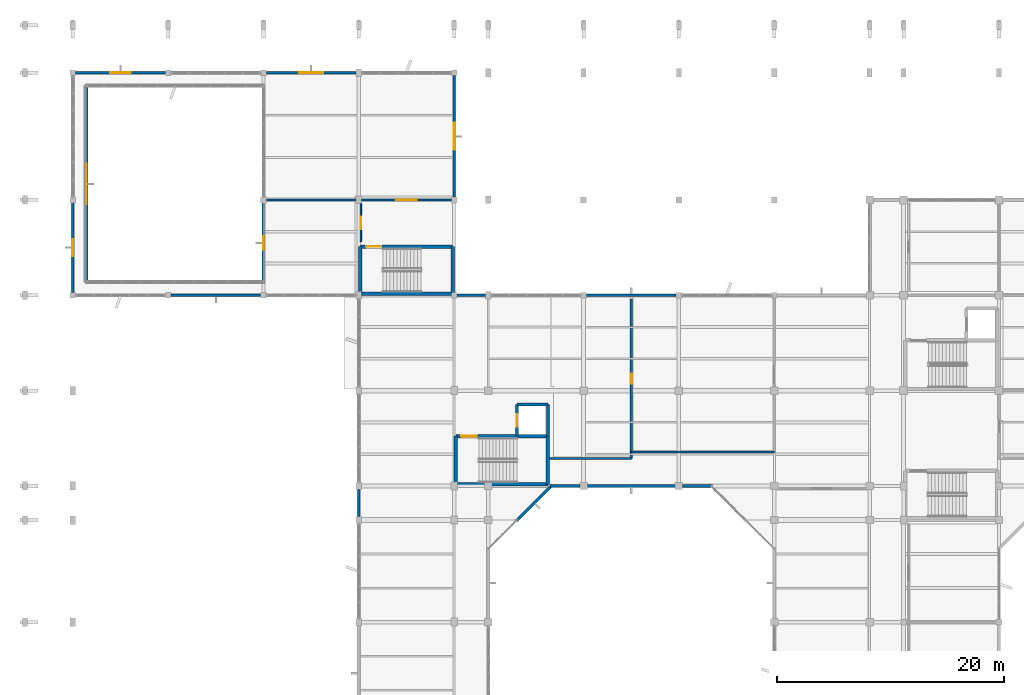
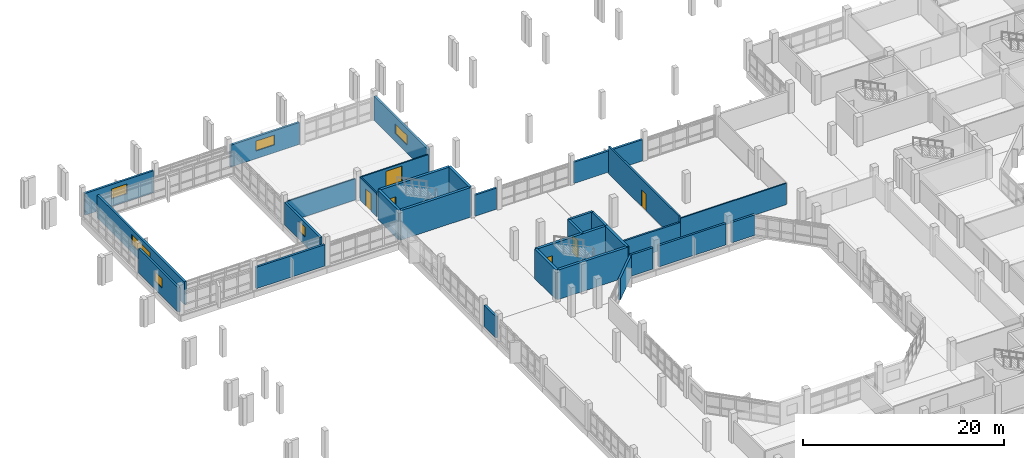
# One storey, part 69 of 104: 31 walls, 6 doors, 6 windows, 12 openings.
"""IFC4 building model written with IfcOpenShell, lengths in metres."""

from ifc_helpers import new_model, si_unit, direction, frame, frame_2d, origin, place, context, subcontext, project, spatial, rectangle, extrude, material, layer, layer_set, type_object, element, fill, save


model = new_model("IFC4")

# Units and contexts
model_context = context("Model", 3, precision=1e-05, world=origin(), true_north=direction((0.0, 1.0)))
body_context = subcontext(model_context, "Body", "Model", "MODEL_VIEW")
ifc_project = project(units=[si_unit("LENGTHUNIT", "METRE"), si_unit("AREAUNIT", "SQUARE_METRE"), si_unit("VOLUMEUNIT", "CUBIC_METRE"), si_unit("PLANEANGLEUNIT", "RADIAN"), si_unit("MASSUNIT", "GRAM", prefix="KILO")], contexts=[model_context])

# Site, building, storey
site_placement = place(None, origin())
site = spatial("IfcSite", under=ifc_project, at=site_placement, CompositionType="ELEMENT")
building_placement = place(site_placement, origin())
building = spatial("IfcBuilding", under=site, at=building_placement, Name="Vanh Quang Courtyard School", CompositionType="ELEMENT")
storey_placement = place(building_placement, frame((0.0, 0.0, 4.199951171875)))
storey = spatial("IfcBuildingStorey", under=building, at=storey_placement, Name="L01", CompositionType="ELEMENT", Elevation=4.199951171875)

# Wall, opening, door
ifc_material_1 = material(Name="Concrete C30/37", Category="concrete")
ifc_layer_1 = layer(ifc_material_1, 0.199951171875)
ifc_layer_set_1 = layer_set([ifc_layer_1], Name="Concrete C30/37")
wall_type_1 = type_object("IfcWallType", Name="W-COMP-200", PredefinedType="PARTITIONING", material=ifc_layer_set_1)
wall_1_placement = place(storey_placement, frame((53.39990234375, 87.8798828125, 0.0), z_axis=(0.0, 0.0, 1.0), x_axis=(0.0, -1.0, 0.0)))
wall_1 = element("IfcWall", 1, at=wall_1_placement, inside=storey, type_object=wall_type_1, Name="Wall W-COMP1 (L01)", PredefinedType="PARTITIONING", context=body_context, shape_type="SweptSolid", body=[
    extrude(rectangle(XDim=14.059814453125, YDim=0.199951171875, at=frame_2d((7.02978515625, 0.0))), origin(), (0.0, 0.0, 1.0), 3.320068359375),
])
opening_1_placement = place(wall_1_placement, frame((6.580078125, 0.0, 0.0)))
opening_1 = element("IfcOpeningElement", 2, at=opening_1_placement, cuts=wall_1, Name="Opening L01-D060", PredefinedType="OPENING", context=body_context, shape_type="SweptSolid", body=[
    extrude(rectangle(XDim=0.89990234375, YDim=2.050048828125, at=frame_2d((0.449951171875, 1.02490234375))), frame((0.0, 0.10986328125, 0.0), z_axis=(0.0, -1.0, 0.0), x_axis=(1.0, 0.0, 0.0)), (0.0, 0.0, 1.0), 0.219970703125),
])
ifc_material_2 = material(Name="Painted galvanised steel fire door", Category="steel")
door_type_1 = type_object("IfcDoorType", Name="IDR-RS-0900x2050", OperationType="NOTDEFINED", PredefinedType="DOOR", material=ifc_material_2)
door_1_placement = place(opening_1_placement, origin())
door_1 = element("IfcDoor", 3, at=door_1_placement, inside=storey, type_object=door_type_1, Name="Door L01-D060 (L01)", OperationType="SINGLE_SWING_LEFT", OverallHeight=2.050048828125, OverallWidth=0.89990234375, PredefinedType="DOOR", context=body_context, shape_type="SweptSolid", body=[
    extrude(rectangle(XDim=0.89990234375, YDim=2.050048828125, at=frame_2d((0.449951171875, 1.02490234375))), frame((0.0, 0.02490234375, 0.0), z_axis=(0.0, -1.0, 0.0), x_axis=(1.0, 0.0, 0.0)), (0.0, 0.0, 1.0), 0.050048828125),
])
fill(opening_1, door_1)

# Walls
wall_2_placement = place(storey_placement, frame((53.39990234375, 73.820068359375, 0.0), z_axis=(0.0, 0.0, 1.0), x_axis=(-1.0, 0.0, 0.0)))
element("IfcWall", 4, at=wall_2_placement, inside=storey, type_object=wall_type_1, Name="Wall W-COMP1 (L01)", PredefinedType="PARTITIONING", context=body_context, shape_type="SweptSolid", body=[
    extrude(rectangle(XDim=7.199951171875, YDim=0.199951171875, at=frame_2d((3.60009765625, 0.0))), origin(), (0.0, 0.0, 1.0), 2.60009765625),
])
ifc_material_3 = material(Name="Concrete C35/45", Category="concrete")
ifc_layer_2 = layer(ifc_material_3, 0.300048828125)
ifc_layer_set_2 = layer_set([ifc_layer_2], Name="Concrete C35/45")
wall_type_2 = type_object("IfcWallType", Name="W-CORE-300", PredefinedType="SHEAR", material=ifc_layer_set_2)
wall_3_placement = place(storey_placement, frame((37.93994140625, 71.5400390625, 0.0), z_axis=(0.0, 0.0, 1.0), x_axis=(1.0, 0.0, 0.0)))
element("IfcWall", 5, at=wall_3_placement, inside=storey, type_object=wall_type_2, Name="Wall W-CORE1 (L01)", PredefinedType="SHEAR", context=body_context, shape_type="SweptSolid", body=[
    extrude(rectangle(XDim=8.1201171875, YDim=0.300048828125, at=frame_2d((4.06005859375, 0.0))), origin(), (0.0, 0.0, 1.0), 3.60009765625),
])
wall_4_placement = place(storey_placement, frame((46.06005859375, 71.5400390625, 0.0), z_axis=(0.0, 0.0, 1.0), x_axis=(0.0, 1.0, 0.0)))
element("IfcWall", 6, at=wall_4_placement, inside=storey, type_object=wall_type_2, Name="Wall W-CORE1 (L01)", PredefinedType="SHEAR", context=body_context, shape_type="SweptSolid", body=[
    extrude(rectangle(XDim=4.239990234375, YDim=0.300048828125, at=frame_2d((2.1201171875, 0.0))), origin(), (0.0, 0.0, 1.0), 3.60009765625),
])

# Wall, opening, door
wall_5_placement = place(storey_placement, frame((46.06005859375, 75.780029296875, 0.0), z_axis=(0.0, 0.0, 1.0), x_axis=(-1.0, 0.0, 0.0)))
wall_5 = element("IfcWall", 7, at=wall_5_placement, inside=storey, type_object=wall_type_2, Name="Wall W-CORE1 (L01)", PredefinedType="SHEAR", context=body_context, shape_type="SweptSolid", body=[
    extrude(rectangle(XDim=8.1201171875, YDim=0.300048828125, at=frame_2d((4.06005859375, 0.0))), origin(), (0.0, 0.0, 1.0), 3.60009765625),
])
opening_2_placement = place(wall_5_placement, frame((6.27001953125, 0.0, 0.0)))
opening_2 = element("IfcOpeningElement", 8, at=opening_2_placement, cuts=wall_5, Name="Opening L01-DS3", PredefinedType="OPENING", context=body_context, shape_type="SweptSolid", body=[
    extrude(rectangle(XDim=1.35009765625, YDim=2.14990234375, at=frame_2d((0.675048828125, 1.074951171875))), frame((0.0, 0.16015625, 0.0), z_axis=(0.0, -1.0, 0.0), x_axis=(1.0, 0.0, 0.0)), (0.0, 0.0, 1.0), 0.320068359375),
])
door_type_2 = type_object("IfcDoorType", Name="IDR-ST-1350x2150", OperationType="NOTDEFINED", PredefinedType="DOOR", material=ifc_material_2)
door_2_placement = place(opening_2_placement, frame((1.35009765625, 0.0, 0.0), z_axis=(0.0, 0.0, 1.0), x_axis=(-1.0, 0.0, 0.0)))
door_2 = element("IfcDoor", 9, at=door_2_placement, inside=storey, type_object=door_type_2, Name="Door L01-DS3 (L01)", OperationType="SINGLE_SWING_LEFT", OverallHeight=2.14990234375, OverallWidth=1.35009765625, PredefinedType="DOOR", context=body_context, shape_type="SweptSolid", body=[
    extrude(rectangle(XDim=1.35009765625, YDim=2.14990234375, at=frame_2d((0.675048828125, 1.074951171875))), frame((0.0, 0.02490234375, 0.0), z_axis=(0.0, -1.0, 0.0), x_axis=(1.0, 0.0, 0.0)), (0.0, 0.0, 1.0), 0.050048828125),
])
fill(opening_2, door_2)

# Walls
wall_6_placement = place(storey_placement, frame((37.93994140625, 75.780029296875, 0.0), z_axis=(0.0, 0.0, 1.0), x_axis=(0.0, -1.0, 0.0)))
element("IfcWall", 10, at=wall_6_placement, inside=storey, type_object=wall_type_2, Name="Wall W-CORE1 (L01)", PredefinedType="SHEAR", context=body_context, shape_type="SweptSolid", body=[
    extrude(rectangle(XDim=4.239990234375, YDim=0.300048828125, at=frame_2d((2.1201171875, 0.0))), origin(), (0.0, 0.0, 1.0), 3.60009765625),
])
wall_7_placement = place(storey_placement, frame((29.5400390625, 88.340087890625, 0.0), z_axis=(0.0, 0.0, 1.0), x_axis=(1.0, 0.0, 0.0)))
element("IfcWall", 11, at=wall_7_placement, inside=storey, type_object=wall_type_2, Name="Wall W-CORE1 (L01)", PredefinedType="SHEAR", context=body_context, shape_type="SweptSolid", body=[
    extrude(rectangle(XDim=8.119873046875, YDim=0.300048828125, at=frame_2d((4.06005859375, 0.0))), origin(), (0.0, 0.0, 1.0), 3.60009765625),
])
wall_8_placement = place(storey_placement, frame((37.659912109375, 88.340087890625, 0.0), z_axis=(0.0, 0.0, 1.0), x_axis=(0.0, 1.0, 0.0)))
element("IfcWall", 12, at=wall_8_placement, inside=storey, type_object=wall_type_2, Name="Wall W-CORE1 (L01)", PredefinedType="SHEAR", context=body_context, shape_type="SweptSolid", body=[
    extrude(rectangle(XDim=4.139892578125, YDim=0.300048828125, at=frame_2d((2.06982421875, 0.0))), origin(), (0.0, 0.0, 1.0), 3.60009765625),
])

# Wall, opening, door
wall_9_placement = place(storey_placement, frame((37.659912109375, 92.47998046875, 0.0), z_axis=(0.0, 0.0, 1.0), x_axis=(-1.0, 0.0, 0.0)))
wall_9 = element("IfcWall", 13, at=wall_9_placement, inside=storey, type_object=wall_type_2, Name="Wall W-CORE1 (L01)", PredefinedType="SHEAR", context=body_context, shape_type="SweptSolid", body=[
    extrude(rectangle(XDim=8.119873046875, YDim=0.300048828125, at=frame_2d((4.06005859375, 0.0))), origin(), (0.0, 0.0, 1.0), 3.60009765625),
])
opening_3_placement = place(wall_9_placement, frame((6.27001953125, 0.0, 0.0)))
opening_3 = element("IfcOpeningElement", 14, at=opening_3_placement, cuts=wall_9, Name="Opening L01-DS7", PredefinedType="OPENING", context=body_context, shape_type="SweptSolid", body=[
    extrude(rectangle(XDim=1.35009765625, YDim=2.14990234375, at=frame_2d((0.675048828125, 1.074951171875))), frame((0.0, 0.16015625, 0.0), z_axis=(0.0, -1.0, 0.0), x_axis=(1.0, 0.0, 0.0)), (0.0, 0.0, 1.0), 0.320068359375),
])
door_3_placement = place(opening_3_placement, frame((1.35009765625, 0.0, 0.0), z_axis=(0.0, 0.0, 1.0), x_axis=(-1.0, 0.0, 0.0)))
door_3 = element("IfcDoor", 15, at=door_3_placement, inside=storey, type_object=door_type_2, Name="Door L01-DS7 (L01)", OperationType="SINGLE_SWING_LEFT", OverallHeight=2.14990234375, OverallWidth=1.35009765625, PredefinedType="DOOR", context=body_context, shape_type="SweptSolid", body=[
    extrude(rectangle(XDim=1.35009765625, YDim=2.14990234375, at=frame_2d((0.675048828125, 1.074951171875))), frame((0.0, 0.02490234375, 0.0), z_axis=(0.0, -1.0, 0.0), x_axis=(1.0, 0.0, 0.0)), (0.0, 0.0, 1.0), 0.050048828125),
])
fill(opening_3, door_3)

# Walls
wall_10_placement = place(storey_placement, frame((29.5400390625, 92.47998046875, 0.0), z_axis=(0.0, 0.0, 1.0), x_axis=(0.0, -1.0, 0.0)))
element("IfcWall", 16, at=wall_10_placement, inside=storey, type_object=wall_type_2, Name="Wall W-CORE1 (L01)", PredefinedType="SHEAR", context=body_context, shape_type="SweptSolid", body=[
    extrude(rectangle(XDim=4.139892578125, YDim=0.300048828125, at=frame_2d((2.06982421875, 0.0))), origin(), (0.0, 0.0, 1.0), 3.60009765625),
])
ifc_material_4 = material(Name="Precast concrete C40/50", Category="concrete")
ifc_layer_3 = layer(ifc_material_4, 0.239990234375)
ifc_layer_set_3 = layer_set([ifc_layer_3], Name="Precast concrete C40/50")
wall_type_3 = type_object("IfcWallType", Name="W-EXT-240", PredefinedType="SOLIDWALL", material=ifc_layer_set_3)
wall_11_placement = place(storey_placement, frame((29.39990234375, 68.722900390625, 0.0), z_axis=(0.0, 0.0, 1.0), x_axis=(0.0, 1.0, 0.0)))
element("IfcWall", 17, at=wall_11_placement, inside=storey, type_object=wall_type_3, Name="Wall WE-03 (L01)", PredefinedType="SOLIDWALL", context=body_context, shape_type="SweptSolid", body=[
    extrude(rectangle(XDim=2.35400390625, YDim=0.239990234375, at=frame_2d((1.177001953125, 0.0))), origin(), (0.0, 0.0, 1.0), 2.580078125),
])
wall_12_placement = place(storey_placement, frame((20.751953125, 88.199951171875, 0.0), z_axis=(0.0, 0.0, 1.0), x_axis=(-1.0, 0.0, 0.0)))
element("IfcWall", 18, at=wall_12_placement, inside=storey, type_object=wall_type_3, Name="Wall WE-03 (L01)", PredefinedType="SOLIDWALL", context=body_context, shape_type="SweptSolid", body=[
    extrude(rectangle(XDim=7.904052734375, YDim=0.239990234375, at=frame_2d((3.9521484375, 0.0))), origin(), (0.0, 0.0, 1.0), 2.6201171875),
])

# Wall, opening, window
wall_13_placement = place(storey_placement, frame((4.199951171875, 88.447998046875, 0.0), z_axis=(0.0, 0.0, 1.0), x_axis=(0.0, 1.0, 0.0)))
wall_13 = element("IfcWall", 19, at=wall_13_placement, inside=storey, type_object=wall_type_3, Name="Wall WE-03 (L01)", PredefinedType="SOLIDWALL", context=body_context, shape_type="SweptSolid", body=[
    extrude(rectangle(XDim=7.904052734375, YDim=0.239990234375, at=frame_2d((3.9521484375, 0.0))), origin(), (0.0, 0.0, 1.0), 2.9599609375),
])
opening_4_placement = place(wall_13_placement, frame((3.201904296875, 0.0, 0.949951171875)))
opening_4 = element("IfcOpeningElement", 20, at=opening_4_placement, cuts=wall_13, Name="Opening WN-02", PredefinedType="OPENING", context=body_context, shape_type="SweptSolid", body=[
    extrude(rectangle(XDim=1.5, YDim=1.199951171875, at=frame_2d((0.75, 0.60009765625))), frame((0.0, 0.1298828125, 0.0), z_axis=(0.0, -1.0, 0.0), x_axis=(1.0, 0.0, 0.0)), (0.0, 0.0, 1.0), 0.260009765625),
])
ifc_material_5 = material(Name="Anodised aluminium and low-E double glazing", Category="aluminium")
window_type_1 = type_object("IfcWindowType", Name="WIN-TYP-02", PartitioningType="SINGLE_PANEL", PredefinedType="WINDOW", material=ifc_material_5)
window_1_placement = place(opening_4_placement, origin())
window_1 = element("IfcWindow", 21, at=window_1_placement, inside=storey, type_object=window_type_1, Name="Window WN-02 (L01)", OverallHeight=1.199951171875, OverallWidth=1.5, PartitioningType="SINGLE_PANEL", PredefinedType="WINDOW", context=body_context, shape_type="SweptSolid", body=[
    extrude(rectangle(XDim=1.5, YDim=1.199951171875, at=frame_2d((0.75, 0.60009765625))), frame((0.0, 0.030029296875, 0.0), z_axis=(0.0, -1.0, 0.0), x_axis=(1.0, 0.0, 0.0)), (0.0, 0.0, 1.0), 0.06005859375),
])
fill(opening_4, window_1)

wall_14_placement = place(storey_placement, frame((4.447998046875, 107.800048828125, 0.0), z_axis=(0.0, 0.0, 1.0), x_axis=(1.0, 0.0, 0.0)))
wall_14 = element("IfcWall", 22, at=wall_14_placement, inside=storey, type_object=wall_type_3, Name="Wall WE-03 (L01)", PredefinedType="SOLIDWALL", context=body_context, shape_type="SweptSolid", body=[
    extrude(rectangle(XDim=7.904052734375, YDim=0.239990234375, at=frame_2d((3.9521484375, 0.0))), origin(), (0.0, 0.0, 1.0), 2.670166015625),
])
opening_5_placement = place(wall_14_placement, frame((3.052001953125, 0.0, 0.949951171875)))
opening_5 = element("IfcOpeningElement", 23, at=opening_5_placement, cuts=wall_14, Name="Opening WN-03", PredefinedType="OPENING", context=body_context, shape_type="SweptSolid", body=[
    extrude(rectangle(XDim=1.800048828125, YDim=1.199951171875, at=frame_2d((0.89990234375, 0.60009765625))), frame((0.0, 0.1298828125, 0.0), z_axis=(0.0, -1.0, 0.0), x_axis=(1.0, 0.0, 0.0)), (0.0, 0.0, 1.0), 0.260009765625),
])
window_type_2 = type_object("IfcWindowType", Name="WIN-TYP-03", PartitioningType="SINGLE_PANEL", PredefinedType="WINDOW", material=ifc_material_5)
window_2_placement = place(opening_5_placement, origin())
window_2 = element("IfcWindow", 24, at=window_2_placement, inside=storey, type_object=window_type_2, Name="Window WN-03 (L01)", OverallHeight=1.199951171875, OverallWidth=1.800048828125, PartitioningType="SINGLE_PANEL", PredefinedType="WINDOW", context=body_context, shape_type="SweptSolid", body=[
    extrude(rectangle(XDim=1.800048828125, YDim=1.199951171875, at=frame_2d((0.89990234375, 0.60009765625))), frame((0.0, 0.030029296875, 0.0), z_axis=(0.0, -1.0, 0.0), x_axis=(1.0, 0.0, 0.0)), (0.0, 0.0, 1.0), 0.06005859375),
])
fill(opening_5, window_2)

wall_15_placement = place(storey_placement, frame((21.248046875, 107.800048828125, 0.0), z_axis=(0.0, 0.0, 1.0), x_axis=(1.0, 0.0, 0.0)))
wall_15 = element("IfcWall", 25, at=wall_15_placement, inside=storey, type_object=wall_type_3, Name="Wall WE-03 (L01)", PredefinedType="SOLIDWALL", context=body_context, shape_type="SweptSolid", body=[
    extrude(rectangle(XDim=7.904052734375, YDim=0.239990234375, at=frame_2d((3.9521484375, 0.0))), origin(), (0.0, 0.0, 1.0), 2.670166015625),
])
opening_6_placement = place(wall_15_placement, frame((2.902099609375, 0.0, 0.949951171875)))
opening_6 = element("IfcOpeningElement", 26, at=opening_6_placement, cuts=wall_15, Name="Opening WN-04", PredefinedType="OPENING", context=body_context, shape_type="SweptSolid", body=[
    extrude(rectangle(XDim=2.10009765625, YDim=1.199951171875, at=frame_2d((1.050048828125, 0.60009765625))), frame((0.0, 0.1298828125, 0.0), z_axis=(0.0, -1.0, 0.0), x_axis=(1.0, 0.0, 0.0)), (0.0, 0.0, 1.0), 0.260009765625),
])
window_type_3 = type_object("IfcWindowType", Name="WIN-TYP-04", PartitioningType="SINGLE_PANEL", PredefinedType="WINDOW", material=ifc_material_5)
window_3_placement = place(opening_6_placement, origin())
window_3 = element("IfcWindow", 27, at=window_3_placement, inside=storey, type_object=window_type_3, Name="Window WN-04 (L01)", OverallHeight=1.199951171875, OverallWidth=2.10009765625, PartitioningType="SINGLE_PANEL", PredefinedType="WINDOW", context=body_context, shape_type="SweptSolid", body=[
    extrude(rectangle(XDim=2.10009765625, YDim=1.199951171875, at=frame_2d((1.050048828125, 0.60009765625))), frame((0.0, 0.030029296875, 0.0), z_axis=(0.0, -1.0, 0.0), x_axis=(1.0, 0.0, 0.0)), (0.0, 0.0, 1.0), 0.06005859375),
])
fill(opening_6, window_3)

wall_16_placement = place(storey_placement, frame((37.800048828125, 107.552001953125, 0.0), z_axis=(0.0, 0.0, 1.0), x_axis=(0.0, -1.0, 0.0)))
wall_16 = element("IfcWall", 28, at=wall_16_placement, inside=storey, type_object=wall_type_3, Name="Wall WE-03 (L01)", PredefinedType="SOLIDWALL", context=body_context, shape_type="SweptSolid", body=[
    extrude(rectangle(XDim=10.7041015625, YDim=0.239990234375, at=frame_2d((5.35205078125, 0.0))), origin(), (0.0, 0.0, 1.0), 2.9599609375),
])
opening_7_placement = place(wall_16_placement, frame((4.152099609375, 0.0, 0.949951171875)))
opening_7 = element("IfcOpeningElement", 29, at=opening_7_placement, cuts=wall_16, Name="Opening WN-05", PredefinedType="OPENING", context=body_context, shape_type="SweptSolid", body=[
    extrude(rectangle(XDim=2.39990234375, YDim=1.199951171875, at=frame_2d((1.199951171875, 0.60009765625))), frame((0.0, 0.1298828125, 0.0), z_axis=(0.0, -1.0, 0.0), x_axis=(1.0, 0.0, 0.0)), (0.0, 0.0, 1.0), 0.260009765625),
])
window_type_4 = type_object("IfcWindowType", Name="WIN-TYP-05", PartitioningType="SINGLE_PANEL", PredefinedType="WINDOW", material=ifc_material_5)
window_4_placement = place(opening_7_placement, origin())
window_4 = element("IfcWindow", 30, at=window_4_placement, inside=storey, type_object=window_type_4, Name="Window WN-05 (L01)", OverallHeight=1.199951171875, OverallWidth=2.39990234375, PartitioningType="SINGLE_PANEL", PredefinedType="WINDOW", context=body_context, shape_type="SweptSolid", body=[
    extrude(rectangle(XDim=2.39990234375, YDim=1.199951171875, at=frame_2d((1.199951171875, 0.60009765625))), frame((0.0, 0.030029296875, 0.0), z_axis=(0.0, -1.0, 0.0), x_axis=(1.0, 0.0, 0.0)), (0.0, 0.0, 1.0), 0.06005859375),
])
fill(opening_7, window_4)

# Walls
wall_17_placement = place(storey_placement, frame((38.048095703125, 88.199951171875, 0.0), z_axis=(0.0, 0.0, 1.0), x_axis=(1.0, 0.0, 0.0)))
element("IfcWall", 31, at=wall_17_placement, inside=storey, type_object=wall_type_3, Name="Wall WE-03 (L01)", PredefinedType="SOLIDWALL", context=body_context, shape_type="SweptSolid", body=[
    extrude(rectangle(XDim=2.50390625, YDim=0.239990234375, at=frame_2d((1.251953125, 0.0))), origin(), (0.0, 0.0, 1.0), 2.580078125),
])
wall_18_placement = place(storey_placement, frame((49.447998046875, 88.199951171875, 0.0), z_axis=(0.0, 0.0, 1.0), x_axis=(1.0, 0.0, 0.0)))
element("IfcWall", 32, at=wall_18_placement, inside=storey, type_object=wall_type_3, Name="Wall WE-03 (L01)", PredefinedType="SOLIDWALL", context=body_context, shape_type="SweptSolid", body=[
    extrude(rectangle(XDim=7.904052734375, YDim=0.239990234375, at=frame_2d((3.9521484375, 0.0))), origin(), (0.0, 0.0, 1.0), 2.60009765625),
])

# Wall, opening, window
wall_19_placement = place(storey_placement, frame((5.39990234375, 106.719970703125, 0.0), z_axis=(0.0, 0.0, 1.0), x_axis=(0.0, -1.0, 0.0)))
wall_19 = element("IfcWall", 33, at=wall_19_placement, inside=storey, type_object=wall_type_3, Name="Wall WE-03 (L01)", PredefinedType="SOLIDWALL", context=body_context, shape_type="SweptSolid", body=[
    extrude(rectangle(XDim=17.43994140625, YDim=0.239990234375, at=frame_2d((8.719970703125, 0.0))), origin(), (0.0, 0.0, 1.0), 2.77001953125),
])
opening_8_placement = place(wall_19_placement, frame((6.919921875, 0.0, 0.949951171875)))
opening_8 = element("IfcOpeningElement", 34, at=opening_8_placement, cuts=wall_19, Name="Opening WN-09", PredefinedType="OPENING", context=body_context, shape_type="SweptSolid", body=[
    extrude(rectangle(XDim=3.60009765625, YDim=1.199951171875, at=frame_2d((1.800048828125, 0.60009765625))), frame((0.0, 0.1298828125, 0.0), z_axis=(0.0, -1.0, 0.0), x_axis=(1.0, 0.0, 0.0)), (0.0, 0.0, 1.0), 0.260009765625),
])
window_type_5 = type_object("IfcWindowType", Name="WIN-TYP-09", PartitioningType="SINGLE_PANEL", PredefinedType="WINDOW", material=ifc_material_5)
window_5_placement = place(opening_8_placement, origin())
window_5 = element("IfcWindow", 35, at=window_5_placement, inside=storey, type_object=window_type_5, Name="Window WN-09 (L01)", OverallHeight=1.199951171875, OverallWidth=3.60009765625, PartitioningType="SINGLE_PANEL", PredefinedType="WINDOW", context=body_context, shape_type="SweptSolid", body=[
    extrude(rectangle(XDim=3.60009765625, YDim=1.199951171875, at=frame_2d((1.800048828125, 0.60009765625))), frame((0.0, 0.030029296875, 0.0), z_axis=(0.0, -1.0, 0.0), x_axis=(1.0, 0.0, 0.0)), (0.0, 0.0, 1.0), 0.06005859375),
])
fill(opening_8, window_5)

wall_20_placement = place(storey_placement, frame((21.0, 89.280029296875, 0.0), z_axis=(0.0, 0.0, 1.0), x_axis=(0.0, 1.0, 0.0)))
wall_20 = element("IfcWall", 36, at=wall_20_placement, inside=storey, type_object=wall_type_3, Name="Wall WE-03 (L01)", PredefinedType="SOLIDWALL", context=body_context, shape_type="SweptSolid", body=[
    extrude(rectangle(XDim=7.072021484375, YDim=0.239990234375, at=frame_2d((3.5361328125, 0.0))), origin(), (0.0, 0.0, 1.0), 2.719970703125),
])
opening_9_placement = place(wall_20_placement, frame((2.93603515625, 0.0, 0.949951171875)))
opening_9 = element("IfcOpeningElement", 37, at=opening_9_placement, cuts=wall_20, Name="Opening WN-01", PredefinedType="OPENING", context=body_context, shape_type="SweptSolid", body=[
    extrude(rectangle(XDim=1.199951171875, YDim=1.199951171875, at=frame_2d((0.60009765625, 0.60009765625))), frame((0.0, 0.1298828125, 0.0), z_axis=(0.0, -1.0, 0.0), x_axis=(1.0, 0.0, 0.0)), (0.0, 0.0, 1.0), 0.260009765625),
])
window_type_6 = type_object("IfcWindowType", Name="WIN-TYP-01", PartitioningType="SINGLE_PANEL", PredefinedType="WINDOW", material=ifc_material_5)
window_6_placement = place(opening_9_placement, origin())
window_6 = element("IfcWindow", 38, at=window_6_placement, inside=storey, type_object=window_type_6, Name="Window WN-01 (L01)", OverallHeight=1.199951171875, OverallWidth=1.199951171875, PartitioningType="SINGLE_PANEL", PredefinedType="WINDOW", context=body_context, shape_type="SweptSolid", body=[
    extrude(rectangle(XDim=1.199951171875, YDim=1.199951171875, at=frame_2d((0.60009765625, 0.60009765625))), frame((0.0, 0.030029296875, 0.0), z_axis=(0.0, -1.0, 0.0), x_axis=(1.0, 0.0, 0.0)), (0.0, 0.0, 1.0), 0.06005859375),
])
fill(opening_9, window_6)

# Walls
wall_21_placement = place(storey_placement, frame((60.575927734375, 71.39990234375, 0.0), z_axis=(0.0, 0.0, 1.0), x_axis=(-1.0, 0.0, 0.0)))
element("IfcWall", 39, at=wall_21_placement, inside=storey, type_object=wall_type_3, Name="Wall WE-03 (L01)", PredefinedType="SOLIDWALL", context=body_context, shape_type="SweptSolid", body=[
    extrude(rectangle(XDim=2.65283203125, YDim=0.239990234375, at=frame_2d((1.326416015625, 0.0))), origin(), (0.0, 0.0, 1.0), 2.5),
])
wall_22_placement = place(storey_placement, frame((57.277099609375, 71.39990234375, 0.0), z_axis=(0.0, 0.0, 1.0), x_axis=(-1.0, 0.0, 0.0)))
element("IfcWall", 40, at=wall_22_placement, inside=storey, type_object=wall_type_3, Name="Wall WE-03 (L01)", PredefinedType="SOLIDWALL", context=body_context, shape_type="SweptSolid", body=[
    extrude(rectangle(XDim=7.754150390625, YDim=0.239990234375, at=frame_2d((3.876953125, 0.0))), origin(), (0.0, 0.0, 1.0), 2.60009765625),
])
wall_23_placement = place(storey_placement, frame((48.876953125, 71.39990234375, 0.0), z_axis=(0.0, 0.0, 1.0), x_axis=(-1.0, 0.0, 0.0)))
element("IfcWall", 41, at=wall_23_placement, inside=storey, type_object=wall_type_3, Name="Wall WE-03 (L01)", PredefinedType="SOLIDWALL", context=body_context, shape_type="SweptSolid", body=[
    extrude(rectangle(XDim=2.65283203125, YDim=0.239990234375, at=frame_2d((1.326416015625, 0.0))), origin(), (0.0, 0.0, 1.0), 2.60009765625),
])
wall_24_placement = place(storey_placement, frame((46.428955078125, 71.48486328125, 0.0), z_axis=(0.0, 0.0, 1.0), x_axis=(-0.707134011639, -0.707079549685, 0.0)))
element("IfcWall", 42, at=wall_24_placement, inside=storey, type_object=wall_type_3, Name="Wall WE-03 (L01)", PredefinedType="SOLIDWALL", context=body_context, shape_type="SweptSolid", body=[
    extrude(rectangle(XDim=4.482666015625, YDim=0.239990234375, at=frame_2d((2.2412109375, 0.0))), origin(), (0.0, 0.0, 1.0), 2.60009765625),
])

# Wall, opening, door
ifc_material_6 = material(Name="Acoustic gypsum stud partition", Category="gypsum")
ifc_layer_4 = layer(ifc_material_6, 0.1201171875)
ifc_layer_set_4 = layer_set([ifc_layer_4], Name="Acoustic gypsum stud partition")
wall_type_4 = type_object("IfcWallType", Name="W-PART-120", PredefinedType="PARTITIONING", material=ifc_layer_set_4)
wall_25_placement = place(storey_placement, frame((29.580078125, 96.25390625, 0.0), z_axis=(0.0, 0.0, 1.0), x_axis=(0.0, -1.0, 0.0)))
wall_25 = element("IfcWall", 43, at=wall_25_placement, inside=storey, type_object=wall_type_4, Name="Wall W-PRT2 (L01)", PredefinedType="PARTITIONING", context=body_context, shape_type="SweptSolid", body=[
    extrude(rectangle(XDim=3.333984375, YDim=0.1201171875, at=frame_2d((1.6669921875, 0.0))), origin(), (0.0, 0.0, 1.0), 2.880126953125),
])
opening_10_placement = place(wall_25_placement, frame((1.116943359375, 0.0, 0.0)))
opening_10 = element("IfcOpeningElement", 44, at=opening_10_placement, cuts=wall_25, Name="Opening L01-D056", PredefinedType="OPENING", context=body_context, shape_type="SweptSolid", body=[
    extrude(rectangle(XDim=1.10009765625, YDim=2.10009765625, at=frame_2d((0.550048828125, 1.050048828125))), frame((0.0, 0.070068359375, 0.0), z_axis=(0.0, -1.0, 0.0), x_axis=(1.0, 0.0, 0.0)), (0.0, 0.0, 1.0), 0.14013671875),
])
ifc_material_7 = material(Name="Solid-core hardwood acoustic door", Category="wood")
door_type_3 = type_object("IfcDoorType", Name="IDR-CLS-1100x2100", OperationType="NOTDEFINED", PredefinedType="DOOR", material=ifc_material_7)
door_4_placement = place(opening_10_placement, origin())
door_4 = element("IfcDoor", 45, at=door_4_placement, inside=storey, type_object=door_type_3, Name="Door L01-D056 (L01)", OperationType="SINGLE_SWING_LEFT", OverallHeight=2.10009765625, OverallWidth=1.10009765625, PredefinedType="DOOR", context=body_context, shape_type="SweptSolid", body=[
    extrude(rectangle(XDim=1.10009765625, YDim=2.10009765625, at=frame_2d((0.550048828125, 1.050048828125))), frame((0.0, 0.02490234375, 0.0), z_axis=(0.0, -1.0, 0.0), x_axis=(1.0, 0.0, 0.0)), (0.0, 0.0, 1.0), 0.050048828125),
])
fill(opening_10, door_4)

# Wall
ifc_material_8 = material(Name="Autoclaved aerated masonry blockwork", Category="masonry")
ifc_layer_5 = layer(ifc_material_8, 0.14990234375)
ifc_layer_set_5 = layer_set([ifc_layer_5], Name="Autoclaved aerated masonry blockwork")
wall_type_5 = type_object("IfcWallType", Name="W-PART-150", PredefinedType="PARTITIONING", material=ifc_layer_set_5)
wall_26_placement = place(storey_placement, frame((21.248046875, 96.60009765625, 0.0), z_axis=(0.0, 0.0, 1.0), x_axis=(1.0, 0.0, 0.0)))
element("IfcWall", 46, at=wall_26_placement, inside=storey, type_object=wall_type_5, Name="Wall W-PRT1 (L01)", PredefinedType="PARTITIONING", context=body_context, shape_type="SweptSolid", body=[
    extrude(rectangle(XDim=7.904052734375, YDim=0.14990234375, at=frame_2d((3.9521484375, 0.0))), origin(), (0.0, 0.0, 1.0), 2.570068359375),
])

# Wall, opening, door
wall_27_placement = place(storey_placement, frame((37.552001953125, 96.60009765625, 0.0), z_axis=(0.0, 0.0, 1.0), x_axis=(-1.0, 0.0, 0.0)))
wall_27 = element("IfcWall", 47, at=wall_27_placement, inside=storey, type_object=wall_type_5, Name="Wall W-PRT1 (L01)", PredefinedType="PARTITIONING", context=body_context, shape_type="SweptSolid", body=[
    extrude(rectangle(XDim=7.904052734375, YDim=0.14990234375, at=frame_2d((3.9521484375, 0.0))), origin(), (0.0, 0.0, 1.0), 2.570068359375),
])
opening_11_placement = place(wall_27_placement, frame((3.052001953125, 0.0, 0.0)))
opening_11 = element("IfcOpeningElement", 48, at=opening_11_placement, cuts=wall_27, Name="Opening L01-D057", PredefinedType="OPENING", context=body_context, shape_type="SweptSolid", body=[
    extrude(rectangle(XDim=1.800048828125, YDim=2.25, at=frame_2d((0.89990234375, 1.125))), frame((0.0, 0.0849609375, 0.0), z_axis=(0.0, -1.0, 0.0), x_axis=(1.0, 0.0, 0.0)), (0.0, 0.0, 1.0), 0.169921875),
])
door_type_4 = type_object("IfcDoorType", Name="IDR-FD-1800x2250", OperationType="NOTDEFINED", PredefinedType="DOOR", material=ifc_material_2)
door_5_placement = place(opening_11_placement, origin())
door_5 = element("IfcDoor", 49, at=door_5_placement, inside=storey, type_object=door_type_4, Name="Door L01-D057 (L01)", OperationType="DOUBLE_DOOR_SINGLE_SWING", OverallHeight=2.25, OverallWidth=1.800048828125, PredefinedType="DOOR", context=body_context, shape_type="SweptSolid", body=[
    extrude(rectangle(XDim=1.800048828125, YDim=2.25, at=frame_2d((0.89990234375, 1.125))), frame((0.0, 0.02490234375, 0.0), z_axis=(0.0, -1.0, 0.0), x_axis=(1.0, 0.0, 0.0)), (0.0, 0.0, 1.0), 0.050048828125),
])
fill(opening_11, door_5)

# Wall
wall_28_placement = place(storey_placement, frame((66.0, 74.39990234375, 0.0), z_axis=(0.0, 0.0, 1.0), x_axis=(-1.0, 0.0, 0.0)))
element("IfcWall", 50, at=wall_28_placement, inside=storey, type_object=wall_type_5, Name="Wall W-PRT1 (L01)", PredefinedType="PARTITIONING", context=body_context, shape_type="SweptSolid", body=[
    extrude(rectangle(XDim=12.580078125, YDim=0.14990234375, at=frame_2d((6.2900390625, 0.0))), origin(), (0.0, 0.0, 1.0), 2.60009765625),
])

# Wall, opening, door
ifc_layer_6 = layer(ifc_material_3, 0.25)
ifc_layer_set_6 = layer_set([ifc_layer_6], Name="Concrete C35/45")
wall_type_6 = type_object("IfcWallType", Name="W-SHFT-250", PredefinedType="SHEAR", material=ifc_layer_set_6)
wall_29_placement = place(storey_placement, frame((43.320068359375, 78.580078125, 0.0), z_axis=(0.0, 0.0, 1.0), x_axis=(0.0, -1.0, 0.0)))
wall_29 = element("IfcWall", 51, at=wall_29_placement, inside=storey, type_object=wall_type_6, Name="Wall W-SHFT1 (L01)", PredefinedType="SHEAR", context=body_context, shape_type="SweptSolid", body=[
    extrude(rectangle(XDim=2.800048828125, YDim=0.25, at=frame_2d((1.39990234375, 0.0))), origin(), (0.0, 0.0, 1.0), 3.60009765625),
])
opening_12_placement = place(wall_29_placement, frame((0.85009765625, 0.0, 0.0)))
opening_12 = element("IfcOpeningElement", 52, at=opening_12_placement, cuts=wall_29, Name="Opening LD-03-L01", PredefinedType="OPENING", context=body_context, shape_type="SweptSolid", body=[
    extrude(rectangle(XDim=1.10009765625, YDim=2.14990234375, at=frame_2d((0.550048828125, 1.074951171875))), frame((0.0, 0.135009765625, 0.0), z_axis=(0.0, -1.0, 0.0), x_axis=(1.0, 0.0, 0.0)), (0.0, 0.0, 1.0), 0.27001953125),
])
door_type_5 = type_object("IfcDoorType", Name="IDR-LD-1100x2150", OperationType="NOTDEFINED", PredefinedType="DOOR", material=ifc_material_2)
door_6_placement = place(opening_12_placement, origin())
door_6 = element("IfcDoor", 53, at=door_6_placement, inside=storey, type_object=door_type_5, Name="Door LD-03-L01 (L01)", OperationType="DOUBLE_DOOR_SLIDING", OverallHeight=2.14990234375, OverallWidth=1.10009765625, PredefinedType="DOOR", context=body_context, shape_type="SweptSolid", body=[
    extrude(rectangle(XDim=1.10009765625, YDim=2.14990234375, at=frame_2d((0.550048828125, 1.074951171875))), frame((0.0, 0.02490234375, 0.0), z_axis=(0.0, -1.0, 0.0), x_axis=(1.0, 0.0, 0.0)), (0.0, 0.0, 1.0), 0.050048828125),
])
fill(opening_12, door_6)

# Walls
wall_30_placement = place(storey_placement, frame((46.06005859375, 78.580078125, 0.0), z_axis=(0.0, 0.0, 1.0), x_axis=(-1.0, 0.0, 0.0)))
element("IfcWall", 54, at=wall_30_placement, inside=storey, type_object=wall_type_6, Name="Wall W-SHFT1 (L01)", PredefinedType="SHEAR", context=body_context, shape_type="SweptSolid", body=[
    extrude(rectangle(XDim=2.739990234375, YDim=0.25, at=frame_2d((1.3701171875, 0.0))), origin(), (0.0, 0.0, 1.0), 3.60009765625),
])
wall_31_placement = place(storey_placement, frame((46.06005859375, 75.780029296875, 0.0), z_axis=(0.0, 0.0, 1.0), x_axis=(0.0, 1.0, 0.0)))
element("IfcWall", 55, at=wall_31_placement, inside=storey, type_object=wall_type_6, Name="Wall W-SHFT1 (L01)", PredefinedType="SHEAR", context=body_context, shape_type="SweptSolid", body=[
    extrude(rectangle(XDim=2.800048828125, YDim=0.25, at=frame_2d((1.39990234375, 0.0))), origin(), (0.0, 0.0, 1.0), 3.60009765625),
])

save(model, "model.ifc")
